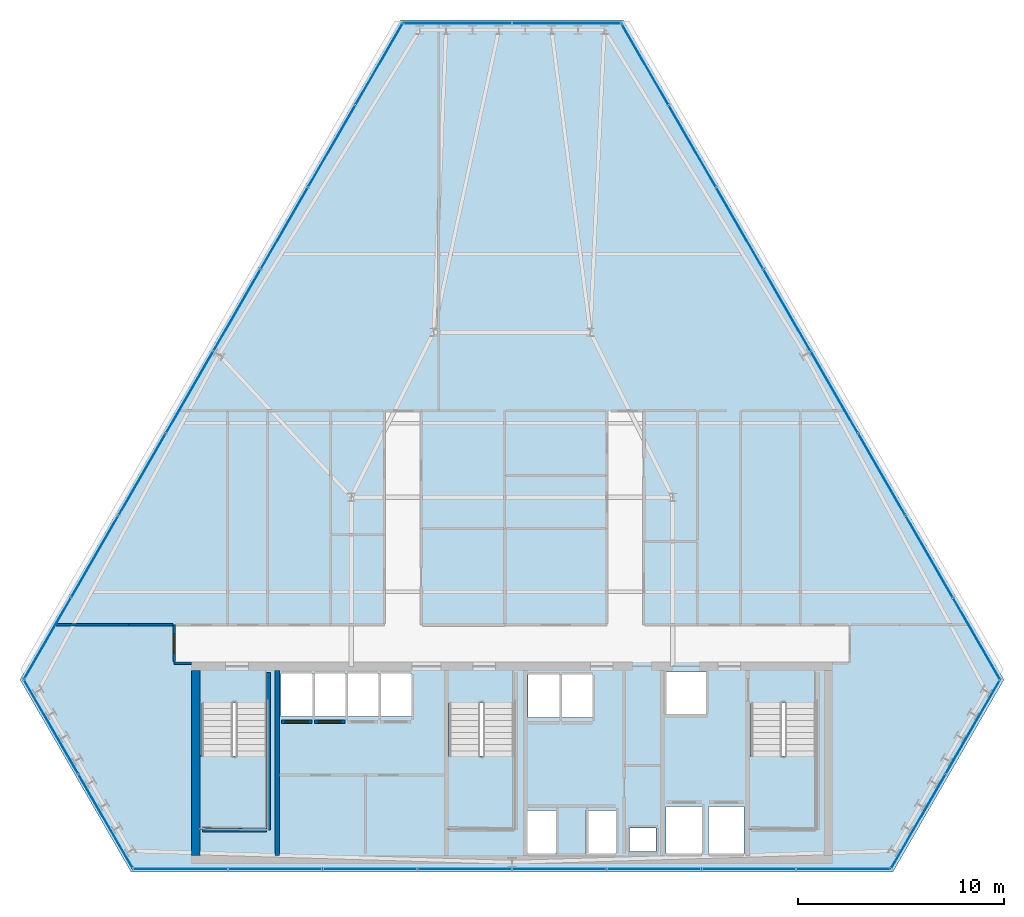
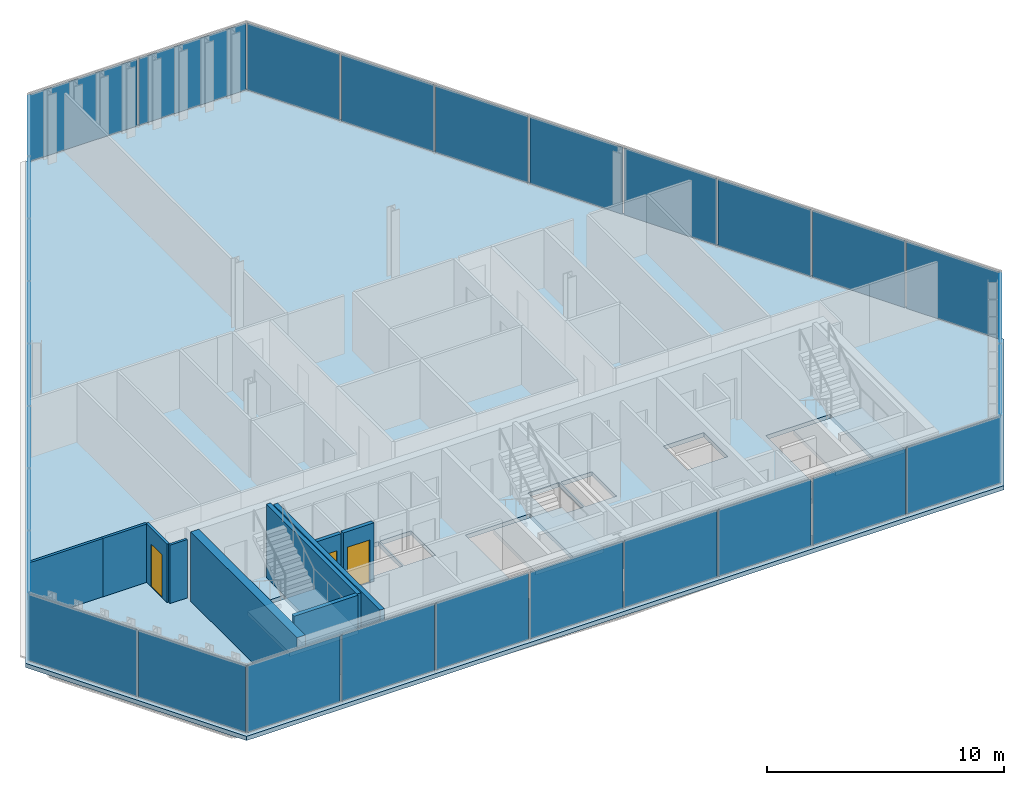
# One storey, part 26 of 33: 30 plates, 10 walls, 4 slabs, 3 doors, 3 openings, 9 elements without a shape of their own.
"""IFC4 building model written with IfcOpenShell, lengths in metres."""

from ifc_helpers import new_model, si_unit, direction, frame, frame_2d, origin, origin_2d, place, context, subcontext, project, spatial, polyline, rectangle, outline, extrude, material, layer, layer_set, type_object, element, fill, aggregate, save


model = new_model("IFC4")

# Units and contexts
model_context = context("Model", 3, precision=1e-05, world=origin(), true_north=direction((0.0, 1.0)))
body_context = subcontext(model_context, "Body", "Model", "MODEL_VIEW")
ifc_project = project(units=[si_unit("LENGTHUNIT", "METRE"), si_unit("AREAUNIT", "SQUARE_METRE"), si_unit("VOLUMEUNIT", "CUBIC_METRE"), si_unit("PLANEANGLEUNIT", "RADIAN"), si_unit("MASSUNIT", "GRAM", prefix="KILO")], contexts=[model_context])

# Site, building, storey
site_placement = place(None, origin())
site = spatial("IfcSite", under=ifc_project, at=site_placement, CompositionType="ELEMENT")
building_placement = place(site_placement, origin())
building = spatial("IfcBuilding", under=site, at=building_placement, Name="Ndaravel Arena Tower", CompositionType="ELEMENT")
storey_placement = place(building_placement, frame((0.0, 0.0, 161.199951171875)))
storey = spatial("IfcBuildingStorey", under=building, at=storey_placement, Name="L38", CompositionType="ELEMENT", Elevation=161.199951171875)

# Curtain wall, plate
ifc_material_1 = material(Name="Aluminium", Category="aluminium")
ifc_layer_1 = layer(ifc_material_1, 0.179931640625)
ifc_layer_set_1 = layer_set([ifc_layer_1], Name="Aluminium")
curtain_wall_type_1 = type_object("IfcCurtainWallType", Name="CW-SYS-01", PredefinedType="NOTDEFINED", material=ifc_layer_set_1)
curtain_wall_1_placement = place(storey_placement, origin())
curtain_wall_1 = element("IfcCurtainWall", 1, at=curtain_wall_1_placement, inside=storey, type_object=curtain_wall_type_1, Name="L38 Faceted Crystal Curtain Wall CW-L38-E02", PredefinedType="NOTDEFINED")
ifc_material_2 = material(Name="Glazing", Category="glass")
ifc_layer_2 = layer(ifc_material_2, 0.035888671875)
ifc_layer_set_2 = layer_set([ifc_layer_2], Name="Glazing")
plate_type_1 = type_object("IfcPlateType", Name="PLT-CW-OPVENT", PredefinedType="CURTAIN_PANEL", material=ifc_layer_set_2)
plate_1_placement = place(storey_placement, frame((64.369140625, 12.05126953125, 0.06005859375), z_axis=(0.0, 0.0, 1.0), x_axis=(0.5, 0.866025403784, 0.0)))
plate_1 = element("IfcPlate", 2, at=plate_1_placement, type_object=plate_type_1, Name="CW-L38-E02 Operable Vent Sash Panel 02", PredefinedType="CURTAIN_PANEL", context=body_context, shape_type="SweptSolid", body=[
    extrude(rectangle(XDim=5.224853515625, YDim=0.035888671875, at=origin_2d()), origin(), (0.0, 0.0, 1.0), 3.4599609375),
])

curtain_wall_2_placement = place(storey_placement, origin())
curtain_wall_2 = element("IfcCurtainWall", 3, at=curtain_wall_2_placement, inside=storey, type_object=curtain_wall_type_1, Name="L38 Faceted Crystal Curtain Wall CW-L38-E04", PredefinedType="NOTDEFINED")
plate_2_placement = place(storey_placement, frame((39.347412109375, 46.20166015625, 0.06005859375), z_axis=(0.0, 0.0, 1.0), x_axis=(-1.0, 0.0, 0.0)))
plate_2 = element("IfcPlate", 4, at=plate_2_placement, type_object=plate_type_1, Name="CW-L38-E04 Operable Vent Sash Panel 02", PredefinedType="CURTAIN_PANEL", context=body_context, shape_type="SweptSolid", body=[
    extrude(rectangle(XDim=5.224853515625, YDim=0.035888671875, at=origin_2d()), origin(), (0.0, 0.0, 1.0), 3.4599609375),
])

ifc_material_3 = material(Name="Aluminium", Category="aluminium")
ifc_layer_3 = layer(ifc_material_3, 0.179931640625)
ifc_layer_set_3 = layer_set([ifc_layer_3], Name="Aluminium")
curtain_wall_type_2 = type_object("IfcCurtainWallType", Name="CW-SYS-02", PredefinedType="NOTDEFINED", material=ifc_layer_set_3)
curtain_wall_3_placement = place(storey_placement, origin())
curtain_wall_3 = element("IfcCurtainWall", 5, at=curtain_wall_3_placement, inside=storey, type_object=curtain_wall_type_2, Name="L38 Faceted Crystal Curtain Wall CW-L38-E06", PredefinedType="NOTDEFINED")
plate_3_placement = place(storey_placement, frame((22.283203125, 7.45703125, 0.06005859375), z_axis=(0.0, 0.0, 1.0), x_axis=(0.5, -0.866025403784, 0.0)))
plate_3 = element("IfcPlate", 6, at=plate_3_placement, type_object=plate_type_1, Name="CW-L38-E06 Operable Vent Sash Panel 02", PredefinedType="CURTAIN_PANEL", context=body_context, shape_type="SweptSolid", body=[
    extrude(rectangle(XDim=5.224853515625, YDim=0.035888671875, at=origin_2d()), origin(), (0.0, 0.0, 1.0), 3.4599609375),
])

# Plate
ifc_material_4 = material(Name="Glazing", Category="glass")
ifc_layer_4 = layer(ifc_material_4, 0.031982421875)
ifc_layer_set_4 = layer_set([ifc_layer_4], Name="Glazing")
plate_type_2 = type_object("IfcPlateType", Name="PLT-GLZ-FRIT35", PredefinedType="CURTAIN_PANEL", material=ifc_layer_set_4)
plate_4_placement = place(storey_placement, frame((61.716796875, 7.45703125, 0.06005859375), z_axis=(0.0, 0.0, 1.0), x_axis=(0.5, 0.866025403784, 0.0)))
plate_4 = element("IfcPlate", 7, at=plate_4_placement, type_object=plate_type_2, Name="CW-L38-E02 Vision Glass Panel 01", PredefinedType="CURTAIN_PANEL", context=body_context, shape_type="SweptSolid", body=[
    extrude(rectangle(XDim=5.224853515625, YDim=0.035888671875, at=origin_2d()), origin(), (0.0, 0.0, 1.0), 3.4599609375),
])

aggregate(curtain_wall_1, [plate_4, plate_1])

plate_5_placement = place(storey_placement, frame((44.652587890625, 46.20166015625, 0.06005859375), z_axis=(0.0, 0.0, 1.0), x_axis=(-1.0, 0.0, 0.0)))
plate_5 = element("IfcPlate", 8, at=plate_5_placement, type_object=plate_type_2, Name="CW-L38-E04 Vision Glass Panel 01", PredefinedType="CURTAIN_PANEL", context=body_context, shape_type="SweptSolid", body=[
    extrude(rectangle(XDim=5.224853515625, YDim=0.035888671875, at=origin_2d()), origin(), (0.0, 0.0, 1.0), 3.4599609375),
])

aggregate(curtain_wall_2, [plate_5, plate_2])

ifc_material_5 = material(Name="Glazing", Category="glass")
ifc_layer_5 = layer(ifc_material_5, 0.035888671875)
ifc_layer_set_5 = layer_set([ifc_layer_5], Name="Glazing")
plate_type_3 = type_object("IfcPlateType", Name="PLT-GLZ-FRIT55", PredefinedType="CURTAIN_PANEL", material=ifc_layer_set_5)
plate_6_placement = place(storey_placement, frame((19.630859375, 12.05126953125, 0.06005859375), z_axis=(0.0, 0.0, 1.0), x_axis=(0.5, -0.866025403784, 0.0)))
plate_6 = element("IfcPlate", 9, at=plate_6_placement, type_object=plate_type_3, Name="CW-L38-E06 Vision Glass Panel 01", PredefinedType="CURTAIN_PANEL", context=body_context, shape_type="SweptSolid", body=[
    extrude(rectangle(XDim=5.224853515625, YDim=0.035888671875, at=origin_2d()), origin(), (0.0, 0.0, 1.0), 3.4599609375),
])

aggregate(curtain_wall_3, [plate_6, plate_3])

# Curtain wall, plates
ifc_material_6 = material(Name="Aluminium", Category="aluminium")
ifc_layer_6 = layer(ifc_material_6, 0.179931640625)
ifc_layer_set_6 = layer_set([ifc_layer_6], Name="Aluminium")
curtain_wall_type_3 = type_object("IfcCurtainWallType", Name="CW-SYS-03", PredefinedType="NOTDEFINED", material=ifc_layer_set_6)
curtain_wall_4_placement = place(storey_placement, origin())
curtain_wall_4 = element("IfcCurtainWall", 10, at=curtain_wall_4_placement, inside=storey, type_object=curtain_wall_type_3, Name="L38 Faceted Crystal Curtain Wall CW-L38-E01", PredefinedType="NOTDEFINED")
ifc_material_7 = material(Name="Glazing", Category="glass")
ifc_layer_7 = layer(ifc_material_7, 0.0400390625)
ifc_layer_set_7 = layer_set([ifc_layer_7], Name="Glazing")
plate_type_4 = type_object("IfcPlateType", Name="PLT-GLZ-LOWIRON", PredefinedType="CURTAIN_PANEL", material=ifc_layer_set_7)
plate_7_placement = place(storey_placement, frame((25.908203125, 5.159912109375, 0.06005859375), z_axis=(0.0, 0.0, 1.0), x_axis=(1.0, 0.0, 0.0)))
plate_7 = element("IfcPlate", 11, at=plate_7_placement, type_object=plate_type_4, Name="CW-L38-E01 Vision Glass Panel 01", PredefinedType="CURTAIN_PANEL", context=body_context, shape_type="SweptSolid", body=[
    extrude(rectangle(XDim=4.517578125, YDim=0.035888671875, at=origin_2d()), origin(), (0.0, 0.0, 1.0), 3.4599609375),
])
plate_8_placement = place(storey_placement, frame((30.505859375, 5.159912109375, 0.06005859375), z_axis=(0.0, 0.0, 1.0), x_axis=(1.0, 0.0, 0.0)))
plate_8 = element("IfcPlate", 12, at=plate_8_placement, type_object=plate_type_4, Name="CW-L38-E01 Vision Glass Panel 02", PredefinedType="CURTAIN_PANEL", context=body_context, shape_type="SweptSolid", body=[
    extrude(rectangle(XDim=4.517578125, YDim=0.035888671875, at=origin_2d()), origin(), (0.0, 0.0, 1.0), 3.4599609375),
])
plate_9_placement = place(storey_placement, frame((35.103515625, 5.159912109375, 0.06005859375), z_axis=(0.0, 0.0, 1.0), x_axis=(1.0, 0.0, 0.0)))
plate_9 = element("IfcPlate", 13, at=plate_9_placement, type_object=plate_type_4, Name="CW-L38-E01 Vision Glass Panel 03", PredefinedType="CURTAIN_PANEL", context=body_context, shape_type="SweptSolid", body=[
    extrude(rectangle(XDim=4.517578125, YDim=0.035888671875, at=origin_2d()), origin(), (0.0, 0.0, 1.0), 3.4599609375),
])
plate_10_placement = place(storey_placement, frame((39.701171875, 5.159912109375, 0.06005859375), z_axis=(0.0, 0.0, 1.0), x_axis=(1.0, 0.0, 0.0)))
plate_10 = element("IfcPlate", 14, at=plate_10_placement, type_object=plate_type_4, Name="CW-L38-E01 Vision Glass Panel 04", PredefinedType="CURTAIN_PANEL", context=body_context, shape_type="SweptSolid", body=[
    extrude(rectangle(XDim=4.517578125, YDim=0.035888671875, at=origin_2d()), origin(), (0.0, 0.0, 1.0), 3.4599609375),
])
plate_11_placement = place(storey_placement, frame((44.298828125, 5.159912109375, 0.06005859375), z_axis=(0.0, 0.0, 1.0), x_axis=(1.0, 0.0, 0.0)))
plate_11 = element("IfcPlate", 15, at=plate_11_placement, type_object=plate_type_4, Name="CW-L38-E01 Vision Glass Panel 05", PredefinedType="CURTAIN_PANEL", context=body_context, shape_type="SweptSolid", body=[
    extrude(rectangle(XDim=4.517578125, YDim=0.035888671875, at=origin_2d()), origin(), (0.0, 0.0, 1.0), 3.4599609375),
])
plate_12_placement = place(storey_placement, frame((48.896484375, 5.159912109375, 0.06005859375), z_axis=(0.0, 0.0, 1.0), x_axis=(1.0, 0.0, 0.0)))
plate_12 = element("IfcPlate", 16, at=plate_12_placement, type_object=plate_type_4, Name="CW-L38-E01 Vision Glass Panel 06", PredefinedType="CURTAIN_PANEL", context=body_context, shape_type="SweptSolid", body=[
    extrude(rectangle(XDim=4.517578125, YDim=0.035888671875, at=origin_2d()), origin(), (0.0, 0.0, 1.0), 3.4599609375),
])
plate_13_placement = place(storey_placement, frame((53.494140625, 5.159912109375, 0.06005859375), z_axis=(0.0, 0.0, 1.0), x_axis=(1.0, 0.0, 0.0)))
plate_13 = element("IfcPlate", 17, at=plate_13_placement, type_object=plate_type_4, Name="CW-L38-E01 Vision Glass Panel 07", PredefinedType="CURTAIN_PANEL", context=body_context, shape_type="SweptSolid", body=[
    extrude(rectangle(XDim=4.517578125, YDim=0.035888671875, at=origin_2d()), origin(), (0.0, 0.0, 1.0), 3.4599609375),
])
plate_14_placement = place(storey_placement, frame((58.091796875, 5.159912109375, 0.06005859375), z_axis=(0.0, 0.0, 1.0), x_axis=(1.0, 0.0, 0.0)))
plate_14 = element("IfcPlate", 18, at=plate_14_placement, type_object=plate_type_4, Name="CW-L38-E01 Vision Glass Panel 08", PredefinedType="CURTAIN_PANEL", context=body_context, shape_type="SweptSolid", body=[
    extrude(rectangle(XDim=4.517578125, YDim=0.035888671875, at=origin_2d()), origin(), (0.0, 0.0, 1.0), 3.4599609375),
])
aggregate(curtain_wall_4, [plate_7, plate_8, plate_9, plate_10, plate_11, plate_12, plate_13, plate_14])

curtain_wall_5_placement = place(storey_placement, origin())
curtain_wall_5 = element("IfcCurtainWall", 19, at=curtain_wall_5_placement, inside=storey, type_object=curtain_wall_type_3, Name="L38 Faceted Crystal Curtain Wall CW-L38-E03", PredefinedType="NOTDEFINED")
plate_15_placement = place(storey_placement, frame((64.5458984375, 16.339111328125, 0.06005859375), z_axis=(0.0, 0.0, 1.0), x_axis=(-0.5, 0.866025403784, 0.0)))
plate_15 = element("IfcPlate", 20, at=plate_15_placement, type_object=plate_type_4, Name="CW-L38-E03 Vision Glass Panel 01", PredefinedType="CURTAIN_PANEL", context=body_context, shape_type="SweptSolid", body=[
    extrude(rectangle(XDim=4.517578125, YDim=0.035888671875, at=origin_2d()), origin(), (0.0, 0.0, 1.0), 3.4599609375),
])
plate_16_placement = place(storey_placement, frame((62.247314453125, 20.32080078125, 0.06005859375), z_axis=(0.0, 0.0, 1.0), x_axis=(-0.5, 0.866025403784, 0.0)))
plate_16 = element("IfcPlate", 21, at=plate_16_placement, type_object=plate_type_4, Name="CW-L38-E03 Vision Glass Panel 02", PredefinedType="CURTAIN_PANEL", context=body_context, shape_type="SweptSolid", body=[
    extrude(rectangle(XDim=4.517578125, YDim=0.035888671875, at=origin_2d()), origin(), (0.0, 0.0, 1.0), 3.4599609375),
])
plate_17_placement = place(storey_placement, frame((59.948486328125, 24.302490234375, 0.06005859375), z_axis=(0.0, 0.0, 1.0), x_axis=(-0.5, 0.866025403784, 0.0)))
plate_17 = element("IfcPlate", 22, at=plate_17_placement, type_object=plate_type_4, Name="CW-L38-E03 Vision Glass Panel 03", PredefinedType="CURTAIN_PANEL", context=body_context, shape_type="SweptSolid", body=[
    extrude(rectangle(XDim=4.517578125, YDim=0.035888671875, at=origin_2d()), origin(), (0.0, 0.0, 1.0), 3.4599609375),
])
plate_18_placement = place(storey_placement, frame((57.649658203125, 28.2841796875, 0.06005859375), z_axis=(0.0, 0.0, 1.0), x_axis=(-0.5, 0.866025403784, 0.0)))
plate_18 = element("IfcPlate", 23, at=plate_18_placement, type_object=plate_type_4, Name="CW-L38-E03 Vision Glass Panel 04", PredefinedType="CURTAIN_PANEL", context=body_context, shape_type="SweptSolid", body=[
    extrude(rectangle(XDim=4.517578125, YDim=0.035888671875, at=origin_2d()), origin(), (0.0, 0.0, 1.0), 3.4599609375),
])
plate_19_placement = place(storey_placement, frame((55.3505859375, 32.265869140625, 0.06005859375), z_axis=(0.0, 0.0, 1.0), x_axis=(-0.5, 0.866025403784, 0.0)))
plate_19 = element("IfcPlate", 24, at=plate_19_placement, type_object=plate_type_4, Name="CW-L38-E03 Vision Glass Panel 05", PredefinedType="CURTAIN_PANEL", context=body_context, shape_type="SweptSolid", body=[
    extrude(rectangle(XDim=4.517578125, YDim=0.035888671875, at=origin_2d()), origin(), (0.0, 0.0, 1.0), 3.4599609375),
])
plate_20_placement = place(storey_placement, frame((53.052001953125, 36.24755859375, 0.06005859375), z_axis=(0.0, 0.0, 1.0), x_axis=(-0.5, 0.866025403784, 0.0)))
plate_20 = element("IfcPlate", 25, at=plate_20_placement, type_object=plate_type_4, Name="CW-L38-E03 Vision Glass Panel 06", PredefinedType="CURTAIN_PANEL", context=body_context, shape_type="SweptSolid", body=[
    extrude(rectangle(XDim=4.517578125, YDim=0.035888671875, at=origin_2d()), origin(), (0.0, 0.0, 1.0), 3.4599609375),
])
plate_21_placement = place(storey_placement, frame((50.753173828125, 40.229248046875, 0.06005859375), z_axis=(0.0, 0.0, 1.0), x_axis=(-0.5, 0.866025403784, 0.0)))
plate_21 = element("IfcPlate", 26, at=plate_21_placement, type_object=plate_type_4, Name="CW-L38-E03 Vision Glass Panel 07", PredefinedType="CURTAIN_PANEL", context=body_context, shape_type="SweptSolid", body=[
    extrude(rectangle(XDim=4.517578125, YDim=0.035888671875, at=origin_2d()), origin(), (0.0, 0.0, 1.0), 3.4599609375),
])
plate_22_placement = place(storey_placement, frame((48.454345703125, 44.2109375, 0.06005859375), z_axis=(0.0, 0.0, 1.0), x_axis=(-0.5, 0.866025403784, 0.0)))
plate_22 = element("IfcPlate", 27, at=plate_22_placement, type_object=plate_type_4, Name="CW-L38-E03 Vision Glass Panel 08", PredefinedType="CURTAIN_PANEL", context=body_context, shape_type="SweptSolid", body=[
    extrude(rectangle(XDim=4.517578125, YDim=0.035888671875, at=origin_2d()), origin(), (0.0, 0.0, 1.0), 3.4599609375),
])
aggregate(curtain_wall_5, [plate_15, plate_16, plate_17, plate_18, plate_19, plate_20, plate_21, plate_22])

curtain_wall_6_placement = place(storey_placement, origin())
curtain_wall_6 = element("IfcCurtainWall", 28, at=curtain_wall_6_placement, inside=storey, type_object=curtain_wall_type_3, Name="L38 Faceted Crystal Curtain Wall CW-L38-E05", PredefinedType="NOTDEFINED")
plate_23_placement = place(storey_placement, frame((35.545654296875, 44.2109375, 0.06005859375), z_axis=(0.0, 0.0, 1.0), x_axis=(-0.5, -0.866025403784, 0.0)))
plate_23 = element("IfcPlate", 29, at=plate_23_placement, type_object=plate_type_4, Name="CW-L38-E05 Vision Glass Panel 01", PredefinedType="CURTAIN_PANEL", context=body_context, shape_type="SweptSolid", body=[
    extrude(rectangle(XDim=4.517578125, YDim=0.035888671875, at=origin_2d()), origin(), (0.0, 0.0, 1.0), 3.4599609375),
])
plate_24_placement = place(storey_placement, frame((33.246826171875, 40.229248046875, 0.06005859375), z_axis=(0.0, 0.0, 1.0), x_axis=(-0.5, -0.866025403784, 0.0)))
plate_24 = element("IfcPlate", 30, at=plate_24_placement, type_object=plate_type_4, Name="CW-L38-E05 Vision Glass Panel 02", PredefinedType="CURTAIN_PANEL", context=body_context, shape_type="SweptSolid", body=[
    extrude(rectangle(XDim=4.517578125, YDim=0.035888671875, at=origin_2d()), origin(), (0.0, 0.0, 1.0), 3.4599609375),
])
plate_25_placement = place(storey_placement, frame((30.947998046875, 36.24755859375, 0.06005859375), z_axis=(0.0, 0.0, 1.0), x_axis=(-0.5, -0.866025403784, 0.0)))
plate_25 = element("IfcPlate", 31, at=plate_25_placement, type_object=plate_type_4, Name="CW-L38-E05 Vision Glass Panel 03", PredefinedType="CURTAIN_PANEL", context=body_context, shape_type="SweptSolid", body=[
    extrude(rectangle(XDim=4.517578125, YDim=0.035888671875, at=origin_2d()), origin(), (0.0, 0.0, 1.0), 3.4599609375),
])
plate_26_placement = place(storey_placement, frame((28.6494140625, 32.265869140625, 0.06005859375), z_axis=(0.0, 0.0, 1.0), x_axis=(-0.5, -0.866025403784, 0.0)))
plate_26 = element("IfcPlate", 32, at=plate_26_placement, type_object=plate_type_4, Name="CW-L38-E05 Vision Glass Panel 04", PredefinedType="CURTAIN_PANEL", context=body_context, shape_type="SweptSolid", body=[
    extrude(rectangle(XDim=4.517578125, YDim=0.035888671875, at=origin_2d()), origin(), (0.0, 0.0, 1.0), 3.4599609375),
])
plate_27_placement = place(storey_placement, frame((26.350341796875, 28.2841796875, 0.06005859375), z_axis=(0.0, 0.0, 1.0), x_axis=(-0.5, -0.866025403784, 0.0)))
plate_27 = element("IfcPlate", 33, at=plate_27_placement, type_object=plate_type_4, Name="CW-L38-E05 Vision Glass Panel 05", PredefinedType="CURTAIN_PANEL", context=body_context, shape_type="SweptSolid", body=[
    extrude(rectangle(XDim=4.517578125, YDim=0.035888671875, at=origin_2d()), origin(), (0.0, 0.0, 1.0), 3.4599609375),
])
plate_28_placement = place(storey_placement, frame((24.051513671875, 24.302490234375, 0.06005859375), z_axis=(0.0, 0.0, 1.0), x_axis=(-0.5, -0.866025403784, 0.0)))
plate_28 = element("IfcPlate", 34, at=plate_28_placement, type_object=plate_type_4, Name="CW-L38-E05 Vision Glass Panel 06", PredefinedType="CURTAIN_PANEL", context=body_context, shape_type="SweptSolid", body=[
    extrude(rectangle(XDim=4.517578125, YDim=0.035888671875, at=origin_2d()), origin(), (0.0, 0.0, 1.0), 3.4599609375),
])
plate_29_placement = place(storey_placement, frame((21.752685546875, 20.32080078125, 0.06005859375), z_axis=(0.0, 0.0, 1.0), x_axis=(-0.5, -0.866025403784, 0.0)))
plate_29 = element("IfcPlate", 35, at=plate_29_placement, type_object=plate_type_4, Name="CW-L38-E05 Vision Glass Panel 07", PredefinedType="CURTAIN_PANEL", context=body_context, shape_type="SweptSolid", body=[
    extrude(rectangle(XDim=4.517578125, YDim=0.035888671875, at=origin_2d()), origin(), (0.0, 0.0, 1.0), 3.4599609375),
])
plate_30_placement = place(storey_placement, frame((19.4541015625, 16.339111328125, 0.06005859375), z_axis=(0.0, 0.0, 1.0), x_axis=(-0.5, -0.866025403784, 0.0)))
plate_30 = element("IfcPlate", 36, at=plate_30_placement, type_object=plate_type_4, Name="CW-L38-E05 Vision Glass Panel 08", PredefinedType="CURTAIN_PANEL", context=body_context, shape_type="SweptSolid", body=[
    extrude(rectangle(XDim=4.517578125, YDim=0.035888671875, at=origin_2d()), origin(), (0.0, 0.0, 1.0), 3.4599609375),
])
aggregate(curtain_wall_6, [plate_23, plate_24, plate_25, plate_26, plate_27, plate_28, plate_29, plate_30])

# Stair, slab
ifc_material_8 = material(Name="Concrete C40/50", Category="concrete")
stair_type = type_object("IfcStairType", Name="STAIR-CORE-HT", PredefinedType="HALF_TURN_STAIR", material=ifc_material_8)
stair_1_placement = place(storey_placement, origin())
stair_1 = element("IfcStair", 37, at=stair_1_placement, inside=storey, type_object=stair_type, Name="L38 ST-1", PredefinedType="HALF_TURN_STAIR")
ifc_material_9 = material(Name="Concrete C40/50", Category="concrete")
ifc_layer_8 = layer(ifc_material_9, 0.199951171875)
ifc_layer_set_8 = layer_set([ifc_layer_8], Name="Concrete C40/50")
slab_type_1 = type_object("IfcSlabType", Name="SLAB-STAIR-LANDING", PredefinedType="LANDING", material=ifc_layer_set_8)
slab_1_placement = place(storey_placement, frame((0.0, 0.0, 1.699951171875)))
slab_1 = element("IfcSlab", 38, at=slab_1_placement, type_object=slab_type_1, Name="ST-1 landing 1", PredefinedType="LANDING", context=body_context, shape_type="SweptSolid", body=[
    extrude(outline(polyline([(26.81005859375, 10.6298828125), (26.81005859375, 7.070068359375), (30.169921875, 7.070068359375), (30.169921875, 10.6298828125), (26.81005859375, 10.6298828125)])), origin(), (0.0, 0.0, 1.0), 0.2001953125),
])
aggregate(stair_1, [slab_1])

stair_2_placement = place(storey_placement, origin())
stair_2 = element("IfcStair", 39, at=stair_2_placement, inside=storey, type_object=stair_type, Name="L38 ST-2", PredefinedType="HALF_TURN_STAIR")
slab_2_placement = place(storey_placement, frame((0.0, 0.0, 1.699951171875)))
slab_2 = element("IfcSlab", 40, at=slab_2_placement, type_object=slab_type_1, Name="ST-2 landing 1", PredefinedType="LANDING", context=body_context, shape_type="SweptSolid", body=[
    extrude(outline(polyline([(38.81005859375, 10.6298828125), (38.81005859375, 7.070068359375), (42.169921875, 7.070068359375), (42.169921875, 10.6298828125), (38.81005859375, 10.6298828125)])), origin(), (0.0, 0.0, 1.0), 0.2001953125),
])
aggregate(stair_2, [slab_2])

stair_3_placement = place(storey_placement, origin())
stair_3 = element("IfcStair", 41, at=stair_3_placement, inside=storey, type_object=stair_type, Name="L38 ST-3", PredefinedType="HALF_TURN_STAIR")
slab_3_placement = place(storey_placement, frame((0.0, 0.0, 1.699951171875)))
slab_3 = element("IfcSlab", 42, at=slab_3_placement, type_object=slab_type_1, Name="ST-3 landing 1", PredefinedType="LANDING", context=body_context, shape_type="SweptSolid", body=[
    extrude(outline(polyline([(53.4599609375, 10.6298828125), (53.4599609375, 7.070068359375), (56.820068359375, 7.070068359375), (56.820068359375, 10.6298828125), (53.4599609375, 10.6298828125)])), origin(), (0.0, 0.0, 1.0), 0.2001953125),
])
aggregate(stair_3, [slab_3])

# Slab
ifc_material_10 = material(Name="Concrete C40/50", Category="concrete")
ifc_layer_9 = layer(ifc_material_10, 0.219970703125)
ifc_layer_set_9 = layer_set([ifc_layer_9], Name="Concrete C40/50")
slab_type_2 = type_object("IfcSlabType", Name="SLAB-TWR-220", PredefinedType="FLOOR", material=ifc_layer_set_9)
slab_4_placement = place(storey_placement, frame((0.0, 0.0, -0.219970703125)))
element("IfcSlab", 43, at=slab_4_placement, inside=storey, type_object=slab_type_2, Name="L38 Structural Floor Slab", PredefinedType="FLOOR", context=body_context, shape_type="SweptSolid", body=[
    extrude(outline(polyline([(18.119873046875, 14.348388671875), (23.51708984375, 5.0), (60.48291015625, 5.0), (65.880126953125, 14.348388671875), (47.397216796875, 46.36181640625), (36.602783203125, 46.36181640625), (18.119873046875, 14.348388671875)]), holes=[polyline([(26.949951171875, 13.215087890625), (26.949951171875, 7.14990234375), (30.090087890625, 7.14990234375), (30.090087890625, 13.215087890625), (26.949951171875, 13.215087890625)]), polyline([(38.949951171875, 13.215087890625), (38.949951171875, 7.14990234375), (42.090087890625, 7.14990234375), (42.090087890625, 13.215087890625), (38.949951171875, 13.215087890625)]), polyline([(53.60009765625, 13.215087890625), (53.60009765625, 7.14990234375), (56.739990234375, 7.14990234375), (56.739990234375, 13.215087890625), (53.60009765625, 13.215087890625)]), polyline([(30.784912109375, 12.56005859375), (32.31494140625, 12.56005859375), (32.31494140625, 14.639892578125), (30.784912109375, 14.639892578125), (30.784912109375, 12.56005859375)]), polyline([(32.385009765625, 12.56005859375), (33.9150390625, 12.56005859375), (33.9150390625, 14.639892578125), (32.385009765625, 14.639892578125), (32.385009765625, 12.56005859375)]), polyline([(33.985107421875, 12.56005859375), (35.514892578125, 12.56005859375), (35.514892578125, 14.639892578125), (33.985107421875, 14.639892578125), (33.985107421875, 12.56005859375)]), polyline([(35.5849609375, 12.56005859375), (37.114990234375, 12.56005859375), (37.114990234375, 14.639892578125), (35.5849609375, 14.639892578125), (35.5849609375, 12.56005859375)]), polyline([(42.659912109375, 5.909912109375), (44.139892578125, 5.909912109375), (44.139892578125, 7.989990234375), (42.659912109375, 7.989990234375), (42.659912109375, 5.909912109375)]), polyline([(45.56005859375, 5.909912109375), (47.0400390625, 5.909912109375), (47.0400390625, 7.989990234375), (45.56005859375, 7.989990234375), (45.56005859375, 5.909912109375)]), polyline([(42.784912109375, 12.510009765625), (44.31494140625, 12.510009765625), (44.31494140625, 14.590087890625), (42.784912109375, 14.590087890625), (42.784912109375, 12.510009765625)]), polyline([(44.385009765625, 12.510009765625), (45.9150390625, 12.510009765625), (45.9150390625, 14.590087890625), (44.385009765625, 14.590087890625), (44.385009765625, 12.510009765625)]), polyline([(49.485107421875, 5.909912109375), (51.215087890625, 5.909912109375), (51.215087890625, 8.18994140625), (49.485107421875, 8.18994140625), (49.485107421875, 5.909912109375)]), polyline([(51.534912109375, 5.909912109375), (53.264892578125, 5.909912109375), (53.264892578125, 8.18994140625), (51.534912109375, 8.18994140625), (51.534912109375, 5.909912109375)]), polyline([(49.4599609375, 12.68505859375), (51.43994140625, 12.68505859375), (51.43994140625, 14.715087890625), (49.4599609375, 14.715087890625), (49.4599609375, 12.68505859375)]), polyline([(47.699951171875, 6.0), (49.0, 6.0), (49.0, 7.139892578125), (47.699951171875, 7.139892578125), (47.699951171875, 6.0)])]), origin(), (0.0, 0.0, 1.0), 0.219970703125),
])

# Walls
ifc_material_11 = material(Name="Concrete C50/60", Category="concrete")
ifc_layer_10 = layer(ifc_material_11, 0.219970703125)
ifc_layer_set_10 = layer_set([ifc_layer_10], Name="Concrete C50/60")
wall_type_1 = type_object("IfcWallType", Name="WALL-CORE-220", PredefinedType="SOLIDWALL", material=ifc_layer_set_10)
wall_1_placement = place(storey_placement, frame((30.60009765625, 5.800048828125, 0.0), z_axis=(0.0, 0.0, 1.0), x_axis=(0.0, 1.0, 0.0)))
element("IfcWall", 44, at=wall_1_placement, inside=storey, type_object=wall_type_1, Name="L38 Core Web Shear Wall 1", PredefinedType="SOLIDWALL", context=body_context, shape_type="SweptSolid", body=[
    extrude(rectangle(XDim=9.0, YDim=0.219970703125, at=frame_2d((4.5, 0.0))), origin(), (0.0, 0.0, 1.0), 3.580078125),
])
ifc_material_12 = material(Name="Concrete C50/60", Category="concrete")
ifc_layer_11 = layer(ifc_material_12, 0.39990234375)
ifc_layer_set_11 = layer_set([ifc_layer_11], Name="Concrete C50/60")
wall_type_2 = type_object("IfcWallType", Name="WALL-CORE-400", PredefinedType="SOLIDWALL", material=ifc_layer_set_11)
wall_2_placement = place(storey_placement, frame((26.64990234375, 5.800048828125, 0.0), z_axis=(0.0, 0.0, 1.0), x_axis=(0.0, 1.0, 0.0)))
element("IfcWall", 45, at=wall_2_placement, inside=storey, type_object=wall_type_2, Name="L38 Core West Shear Wall", PredefinedType="SOLIDWALL", context=body_context, shape_type="SweptSolid", body=[
    extrude(rectangle(XDim=9.0, YDim=0.39990234375, at=frame_2d((4.5, 0.0))), origin(), (0.0, 0.0, 1.0), 3.580078125),
])
ifc_material_13 = material(Name="Gypsum", Category="gypsum")
ifc_layer_12 = layer(ifc_material_13, 0.125)
ifc_layer_set_12 = layer_set([ifc_layer_12], Name="Gypsum")
wall_type_3 = type_object("IfcWallType", Name="WALL-PART-125", PredefinedType="PARTITIONING", material=ifc_layer_set_12)
wall_3_placement = place(storey_placement, frame((26.449951171875, 15.14990234375, 0.0), z_axis=(0.0, 0.0, 1.0), x_axis=(-1.0, 0.0, 0.0)))
element("IfcWall", 46, at=wall_3_placement, inside=storey, type_object=wall_type_3, Name="L38 Interior Partition 003", PredefinedType="PARTITIONING", context=body_context, shape_type="SweptSolid", body=[
    extrude(rectangle(XDim=0.849853515625, YDim=0.125, at=frame_2d((0.4248046875, 0.0))), origin(), (0.0, 0.0, 1.0), 3.010498046875),
])

# Wall, opening, door
wall_4_placement = place(storey_placement, frame((25.60009765625, 15.215087890625, 0.0), z_axis=(0.0, 0.0, 1.0), x_axis=(0.0, 1.0, 0.0)))
wall_4 = element("IfcWall", 47, at=wall_4_placement, inside=storey, type_object=wall_type_3, Name="L38 Interior Partition 004", PredefinedType="PARTITIONING", context=body_context, shape_type="SweptSolid", body=[
    extrude(rectangle(XDim=1.784912109375, YDim=0.125, at=frame_2d((0.892578125, 0.0))), origin(), (0.0, 0.0, 1.0), 3.010498046875),
])
opening_1_placement = place(wall_4_placement, frame((0.41748046875, 0.0, 0.0)))
opening_1 = element("IfcOpeningElement", 48, at=opening_1_placement, cuts=wall_4, Name="Opening ID-01", PredefinedType="OPENING", context=body_context, shape_type="SweptSolid", body=[
    extrude(rectangle(XDim=0.949951171875, YDim=2.199951171875, at=frame_2d((0.47509765625, 1.10009765625))), frame((0.0, 0.0625, 0.0), z_axis=(0.0, -1.0, 0.0), x_axis=(1.0, 0.0, 0.0)), (0.0, 0.0, 1.0), 0.125),
])
ifc_material_14 = material(Name="Timber", Category="wood")
door_type_1 = type_object("IfcDoorType", Name="DT-03-OFFICE-950", OperationType="SINGLE_SWING_LEFT", PredefinedType="DOOR", material=ifc_material_14)
door_1_placement = place(opening_1_placement, origin())
door_1 = element("IfcDoor", 49, at=door_1_placement, inside=storey, type_object=door_type_1, Name="L38 Executive Boardroom Door", OperationType="SINGLE_SWING_LEFT", OverallHeight=2.199951171875, OverallWidth=0.949951171875, PredefinedType="DOOR", context=body_context, shape_type="SweptSolid", body=[
    extrude(rectangle(XDim=0.949951171875, YDim=2.199951171875, at=frame_2d((0.47509765625, 1.10009765625))), frame((0.0, 0.02490234375, 0.0), z_axis=(0.0, -1.0, 0.0), x_axis=(1.0, 0.0, 0.0)), (0.0, 0.0, 1.0), 0.050048828125),
])
fill(opening_1, door_1)

# Walls
wall_5_placement = place(storey_placement, frame((19.83544921875, 17.0, 0.0), z_axis=(0.0, 0.0, 1.0), x_axis=(1.0, 0.0, 0.0)))
element("IfcWall", 50, at=wall_5_placement, inside=storey, type_object=wall_type_3, Name="L38 Interior Partition 026", PredefinedType="PARTITIONING", context=body_context, shape_type="SweptSolid", body=[
    extrude(rectangle(XDim=3.564453125, YDim=0.125, at=frame_2d((1.7822265625, 0.0))), origin(), (0.0, 0.0, 1.0), 3.010498046875),
])
wall_6_placement = place(storey_placement, frame((23.39990234375, 17.0, 0.0), z_axis=(0.0, 0.0, 1.0), x_axis=(1.0, 0.0, 0.0)))
element("IfcWall", 51, at=wall_6_placement, inside=storey, type_object=wall_type_3, Name="L38 Interior Partition 027", PredefinedType="PARTITIONING", context=body_context, shape_type="SweptSolid", body=[
    extrude(rectangle(XDim=2.135009765625, YDim=0.125, at=frame_2d((1.0673828125, 0.0))), origin(), (0.0, 0.0, 1.0), 3.010498046875),
])
ifc_material_15 = material(Name="Concrete C40/50", Category="concrete")
ifc_layer_13 = layer(ifc_material_15, 0.199951171875)
ifc_layer_set_13 = layer_set([ifc_layer_13], Name="Concrete C40/50")
wall_type_4 = type_object("IfcWallType", Name="WALL-SHAFT-200", PredefinedType="SOLIDWALL", material=ifc_layer_set_13)
wall_7_placement = place(storey_placement, frame((30.18994140625, 14.699951171875, 0.0), z_axis=(0.0, 0.0, 1.0), x_axis=(0.0, -1.0, 0.0)))
element("IfcWall", 52, at=wall_7_placement, inside=storey, type_object=wall_type_4, Name="L38 ST-1 Structural Shaft Wall Right", PredefinedType="SOLIDWALL", context=body_context, shape_type="SweptSolid", body=[
    extrude(rectangle(XDim=7.64990234375, YDim=0.199951171875, at=frame_2d((3.824951171875, 0.0))), origin(), (0.0, 0.0, 1.0), 3.800048828125),
])
wall_8_placement = place(storey_placement, frame((26.969970703125, 7.050048828125, 0.0), z_axis=(0.0, 0.0, 1.0), x_axis=(1.0, 0.0, 0.0)))
element("IfcWall", 53, at=wall_8_placement, inside=storey, type_object=wall_type_4, Name="L38 ST-1 Structural Shaft Wall Far", PredefinedType="SOLIDWALL", context=body_context, shape_type="SweptSolid", body=[
    extrude(rectangle(XDim=3.114990234375, YDim=0.199951171875, at=frame_2d((1.5576171875, 0.0))), origin(), (0.0, 0.0, 1.0), 3.800048828125),
])

# Wall, opening, door
wall_9_placement = place(storey_placement, frame((30.804931640625, 12.300048828125, 0.0), z_axis=(0.0, 0.0, 1.0), x_axis=(1.0, 0.0, 0.0)))
wall_9 = element("IfcWall", 54, at=wall_9_placement, inside=storey, type_object=wall_type_4, Name="L38 PL-M1 Shaft Landing Wall", PredefinedType="SOLIDWALL", context=body_context, shape_type="SweptSolid", body=[
    extrude(rectangle(XDim=1.489990234375, YDim=0.179931640625, at=frame_2d((0.7451171875, 0.0))), origin(), (0.0, 0.0, 1.0), 3.010498046875),
])
opening_2_placement = place(wall_9_placement, frame((0.195068359375, 0.0, 0.0)))
opening_2 = element("IfcOpeningElement", 55, at=opening_2_placement, cuts=wall_9, Name="Opening LD-01", PredefinedType="OPENING", context=body_context, shape_type="SweptSolid", body=[
    extrude(rectangle(XDim=1.10009765625, YDim=2.199951171875, at=frame_2d((0.550048828125, 1.10009765625))), frame((0.0, 0.08984375, 0.0), z_axis=(0.0, -1.0, 0.0), x_axis=(1.0, 0.0, 0.0)), (0.0, 0.0, 1.0), 0.179931640625),
])
ifc_material_16 = material(Name="Steel S355", Category="steel")
door_type_2 = type_object("IfcDoorType", Name="DT-06-LIFT-1100", OperationType="SLIDING_TO_LEFT", PredefinedType="DOOR", material=ifc_material_16)
door_2_placement = place(opening_2_placement, origin())
door_2 = element("IfcDoor", 56, at=door_2_placement, inside=storey, type_object=door_type_2, Name="L38 Lift PL-M1 Sliding Landing Door", OperationType="SLIDING_TO_LEFT", OverallHeight=2.199951171875, OverallWidth=1.10009765625, PredefinedType="DOOR", context=body_context, shape_type="SweptSolid", body=[
    extrude(rectangle(XDim=1.10009765625, YDim=2.199951171875, at=frame_2d((0.550048828125, 1.10009765625))), frame((0.0, 0.02490234375, 0.0), z_axis=(0.0, -1.0, 0.0), x_axis=(1.0, 0.0, 0.0)), (0.0, 0.0, 1.0), 0.050048828125),
])
fill(opening_2, door_2)

wall_10_placement = place(storey_placement, frame((32.405029296875, 12.300048828125, 0.0), z_axis=(0.0, 0.0, 1.0), x_axis=(1.0, 0.0, 0.0)))
wall_10 = element("IfcWall", 57, at=wall_10_placement, inside=storey, type_object=wall_type_4, Name="L38 PL-M2 Shaft Landing Wall", PredefinedType="SOLIDWALL", context=body_context, shape_type="SweptSolid", body=[
    extrude(rectangle(XDim=1.489990234375, YDim=0.179931640625, at=frame_2d((0.7451171875, 0.0))), origin(), (0.0, 0.0, 1.0), 3.010498046875),
])
opening_3_placement = place(wall_10_placement, frame((0.195068359375, 0.0, 0.0)))
opening_3 = element("IfcOpeningElement", 58, at=opening_3_placement, cuts=wall_10, Name="Opening LD-01", PredefinedType="OPENING", context=body_context, shape_type="SweptSolid", body=[
    extrude(rectangle(XDim=1.10009765625, YDim=2.199951171875, at=frame_2d((0.550048828125, 1.10009765625))), frame((0.0, 0.08984375, 0.0), z_axis=(0.0, -1.0, 0.0), x_axis=(1.0, 0.0, 0.0)), (0.0, 0.0, 1.0), 0.179931640625),
])
door_3_placement = place(opening_3_placement, origin())
door_3 = element("IfcDoor", 59, at=door_3_placement, inside=storey, type_object=door_type_2, Name="L38 Lift PL-M2 Sliding Landing Door", OperationType="SLIDING_TO_LEFT", OverallHeight=2.199951171875, OverallWidth=1.10009765625, PredefinedType="DOOR", context=body_context, shape_type="SweptSolid", body=[
    extrude(rectangle(XDim=1.10009765625, YDim=2.199951171875, at=frame_2d((0.550048828125, 1.10009765625))), frame((0.0, 0.02490234375, 0.0), z_axis=(0.0, -1.0, 0.0), x_axis=(1.0, 0.0, 0.0)), (0.0, 0.0, 1.0), 0.050048828125),
])
fill(opening_3, door_3)

save(model, "model.ifc")
